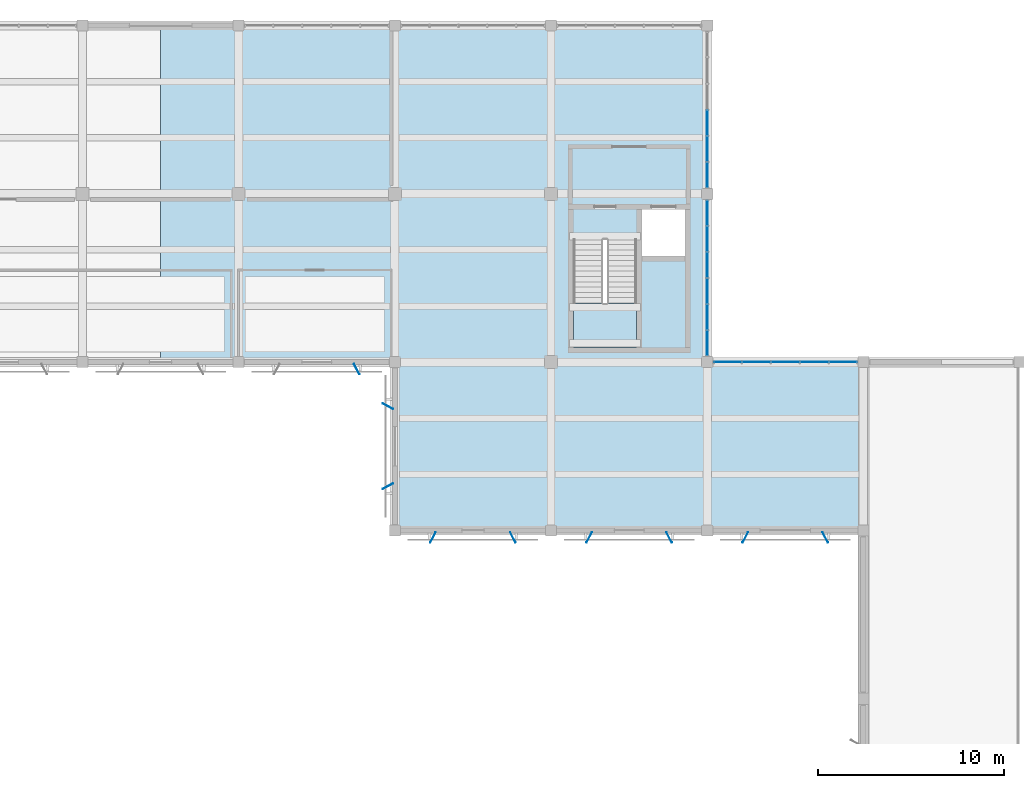
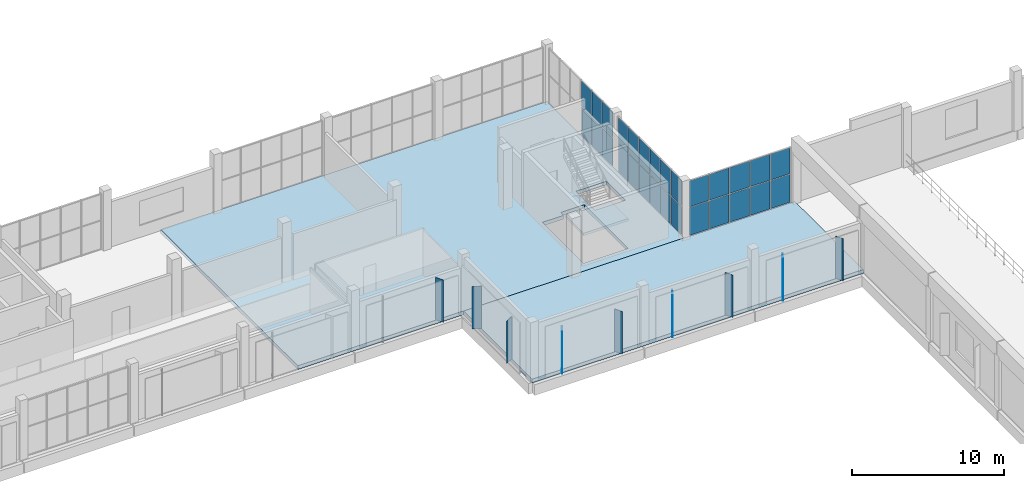
# One storey, part 52 of 80: 37 plates, 3 slabs, 4 elements without a shape of their own.
"""IFC4 building model written with IfcOpenShell, lengths in metres."""

from ifc_helpers import new_model, si_unit, direction, frame, origin, origin_2d, place, context, subcontext, project, spatial, polyline, rectangle, outline, extrude, material, layer, layer_set, type_object, element, aggregate, save


model = new_model("IFC4")

# Units and contexts
model_context = context("Model", 3, precision=1e-05, world=origin(), true_north=direction((0.0, 1.0)))
body_context = subcontext(model_context, "Body", "Model", "MODEL_VIEW")
ifc_project = project(units=[si_unit("LENGTHUNIT", "METRE"), si_unit("AREAUNIT", "SQUARE_METRE"), si_unit("VOLUMEUNIT", "CUBIC_METRE"), si_unit("PLANEANGLEUNIT", "RADIAN"), si_unit("MASSUNIT", "GRAM", prefix="KILO")], contexts=[model_context])

# Site, building, storey
site_placement = place(None, origin())
site = spatial("IfcSite", under=ifc_project, at=site_placement, CompositionType="ELEMENT")
building_placement = place(site_placement, origin())
building = spatial("IfcBuilding", under=site, at=building_placement, Name="Khurvash Pelagic Aquarium", CompositionType="ELEMENT")
storey_placement = place(building_placement, frame((0.0, 0.0, 10.800048828125)))
storey = spatial("IfcBuildingStorey", under=building, at=storey_placement, Name="L02", CompositionType="ELEMENT", Elevation=10.800048828125)

# Curtain wall, plates
ifc_material_1 = material(Name="Anodised aluminium and low-E laminated glass", Category="aluminium")
curtain_wall_type_1 = type_object("IfcCurtainWallType", Name="CW-03", PredefinedType="USERDEFINED", material=ifc_material_1)
curtain_wall_1_placement = place(storey_placement, origin())
curtain_wall_1 = element("IfcCurtainWall", 1, at=curtain_wall_1_placement, inside=storey, type_object=curtain_wall_type_1, Name="L02 Facade Unitised Curtain Wall CW-03 0162", ObjectType="UNITISED CURTAIN WALL", PredefinedType="USERDEFINED")
ifc_material_2 = material(Name="Low-E laminated double glazing", Category="glass")
ifc_layer_1 = layer(ifc_material_2, 0.028076171875)
ifc_layer_set_1 = layer_set([ifc_layer_1], Name="Low-E laminated double glazing")
plate_type_1 = type_object("IfcPlateType", Name="CG-03", PredefinedType="CURTAIN_PANEL", material=ifc_layer_set_1)
plate_1_placement = place(storey_placement, frame((117.60009765625, 85.0732421875, 0.06005859375), z_axis=(0.0, 0.0, 1.0), x_axis=(0.0, 1.0, 0.0)))
plate_1 = element("IfcPlate", 2, at=plate_1_placement, type_object=plate_type_1, Name="CW-03 panel 1.1", PredefinedType="CURTAIN_PANEL", context=body_context, shape_type="SweptSolid", body=[
    extrude(rectangle(XDim=1.316650390625, YDim=0.028076171875, at=origin_2d()), origin(), (0.0, 0.0, 1.0), 2.25),
])
plate_2_placement = place(storey_placement, frame((117.60009765625, 85.0732421875, 2.3701171875), z_axis=(0.0, 0.0, 1.0), x_axis=(0.0, 1.0, 0.0)))
plate_2 = element("IfcPlate", 3, at=plate_2_placement, type_object=plate_type_1, Name="CW-03 panel 1.2", PredefinedType="CURTAIN_PANEL", context=body_context, shape_type="SweptSolid", body=[
    extrude(rectangle(XDim=1.316650390625, YDim=0.028076171875, at=origin_2d()), origin(), (0.0, 0.0, 1.0), 2.070068359375),
])
plate_3_placement = place(storey_placement, frame((117.60009765625, 86.465087890625, 0.06005859375), z_axis=(0.0, 0.0, 1.0), x_axis=(0.0, 1.0, 0.0)))
plate_3 = element("IfcPlate", 4, at=plate_3_placement, type_object=plate_type_1, Name="CW-03 panel 2.1", PredefinedType="CURTAIN_PANEL", context=body_context, shape_type="SweptSolid", body=[
    extrude(rectangle(XDim=1.3466796875, YDim=0.028076171875, at=origin_2d()), origin(), (0.0, 0.0, 1.0), 2.25),
])
plate_4_placement = place(storey_placement, frame((117.60009765625, 86.465087890625, 2.3701171875), z_axis=(0.0, 0.0, 1.0), x_axis=(0.0, 1.0, 0.0)))
plate_4 = element("IfcPlate", 5, at=plate_4_placement, type_object=plate_type_1, Name="CW-03 panel 2.2", PredefinedType="CURTAIN_PANEL", context=body_context, shape_type="SweptSolid", body=[
    extrude(rectangle(XDim=1.3466796875, YDim=0.028076171875, at=origin_2d()), origin(), (0.0, 0.0, 1.0), 2.070068359375),
])
plate_5_placement = place(storey_placement, frame((117.60009765625, 87.87158203125, 0.06005859375), z_axis=(0.0, 0.0, 1.0), x_axis=(0.0, 1.0, 0.0)))
plate_5 = element("IfcPlate", 6, at=plate_5_placement, type_object=plate_type_1, Name="CW-03 panel 3.1", PredefinedType="CURTAIN_PANEL", context=body_context, shape_type="SweptSolid", body=[
    extrude(rectangle(XDim=1.3466796875, YDim=0.028076171875, at=origin_2d()), origin(), (0.0, 0.0, 1.0), 2.25),
])
plate_6_placement = place(storey_placement, frame((117.60009765625, 87.87158203125, 2.3701171875), z_axis=(0.0, 0.0, 1.0), x_axis=(0.0, 1.0, 0.0)))
plate_6 = element("IfcPlate", 7, at=plate_6_placement, type_object=plate_type_1, Name="CW-03 panel 3.2", PredefinedType="CURTAIN_PANEL", context=body_context, shape_type="SweptSolid", body=[
    extrude(rectangle(XDim=1.3466796875, YDim=0.028076171875, at=origin_2d()), origin(), (0.0, 0.0, 1.0), 2.070068359375),
])
plate_7_placement = place(storey_placement, frame((117.60009765625, 89.2783203125, 0.06005859375), z_axis=(0.0, 0.0, 1.0), x_axis=(0.0, 1.0, 0.0)))
plate_7 = element("IfcPlate", 8, at=plate_7_placement, type_object=plate_type_1, Name="CW-03 panel 4.1", PredefinedType="CURTAIN_PANEL", context=body_context, shape_type="SweptSolid", body=[
    extrude(rectangle(XDim=1.3466796875, YDim=0.028076171875, at=origin_2d()), origin(), (0.0, 0.0, 1.0), 2.25),
])
plate_8_placement = place(storey_placement, frame((117.60009765625, 89.2783203125, 2.3701171875), z_axis=(0.0, 0.0, 1.0), x_axis=(0.0, 1.0, 0.0)))
plate_8 = element("IfcPlate", 9, at=plate_8_placement, type_object=plate_type_1, Name="CW-03 panel 4.2", PredefinedType="CURTAIN_PANEL", context=body_context, shape_type="SweptSolid", body=[
    extrude(rectangle(XDim=1.3466796875, YDim=0.028076171875, at=origin_2d()), origin(), (0.0, 0.0, 1.0), 2.070068359375),
])
plate_9_placement = place(storey_placement, frame((117.60009765625, 90.68505859375, 0.06005859375), z_axis=(0.0, 0.0, 1.0), x_axis=(0.0, 1.0, 0.0)))
plate_9 = element("IfcPlate", 10, at=plate_9_placement, type_object=plate_type_1, Name="CW-03 panel 5.1", PredefinedType="CURTAIN_PANEL", context=body_context, shape_type="SweptSolid", body=[
    extrude(rectangle(XDim=1.3466796875, YDim=0.028076171875, at=origin_2d()), origin(), (0.0, 0.0, 1.0), 2.25),
])
plate_10_placement = place(storey_placement, frame((117.60009765625, 90.68505859375, 2.3701171875), z_axis=(0.0, 0.0, 1.0), x_axis=(0.0, 1.0, 0.0)))
plate_10 = element("IfcPlate", 11, at=plate_10_placement, type_object=plate_type_1, Name="CW-03 panel 5.2", PredefinedType="CURTAIN_PANEL", context=body_context, shape_type="SweptSolid", body=[
    extrude(rectangle(XDim=1.3466796875, YDim=0.028076171875, at=origin_2d()), origin(), (0.0, 0.0, 1.0), 2.070068359375),
])
plate_11_placement = place(storey_placement, frame((117.60009765625, 92.07666015625, 0.06005859375), z_axis=(0.0, 0.0, 1.0), x_axis=(0.0, 1.0, 0.0)))
plate_11 = element("IfcPlate", 12, at=plate_11_placement, type_object=plate_type_1, Name="CW-03 panel 6.1", PredefinedType="CURTAIN_PANEL", context=body_context, shape_type="SweptSolid", body=[
    extrude(rectangle(XDim=1.316650390625, YDim=0.028076171875, at=origin_2d()), origin(), (0.0, 0.0, 1.0), 2.25),
])
plate_12_placement = place(storey_placement, frame((117.60009765625, 92.07666015625, 2.3701171875), z_axis=(0.0, 0.0, 1.0), x_axis=(0.0, 1.0, 0.0)))
plate_12 = element("IfcPlate", 13, at=plate_12_placement, type_object=plate_type_1, Name="CW-03 panel 6.2", PredefinedType="CURTAIN_PANEL", context=body_context, shape_type="SweptSolid", body=[
    extrude(rectangle(XDim=1.316650390625, YDim=0.028076171875, at=origin_2d()), origin(), (0.0, 0.0, 1.0), 2.070068359375),
])
aggregate(curtain_wall_1, [plate_1, plate_2, plate_3, plate_4, plate_5, plate_6, plate_7, plate_8, plate_9, plate_10, plate_11, plate_12])

curtain_wall_2_placement = place(storey_placement, origin())
curtain_wall_2 = element("IfcCurtainWall", 14, at=curtain_wall_2_placement, inside=storey, type_object=curtain_wall_type_1, Name="L02 Facade Unitised Curtain Wall CW-03 0163", ObjectType="UNITISED CURTAIN WALL", PredefinedType="USERDEFINED")
plate_13_placement = place(storey_placement, frame((117.60009765625, 94.123291015625, 0.06005859375), z_axis=(0.0, 0.0, 1.0), x_axis=(0.0, 1.0, 0.0)))
plate_13 = element("IfcPlate", 15, at=plate_13_placement, type_object=plate_type_1, Name="CW-03 panel 1.1", PredefinedType="CURTAIN_PANEL", context=body_context, shape_type="SweptSolid", body=[
    extrude(rectangle(XDim=1.316650390625, YDim=0.028076171875, at=origin_2d()), origin(), (0.0, 0.0, 1.0), 2.25),
])
plate_14_placement = place(storey_placement, frame((117.60009765625, 94.123291015625, 2.3701171875), z_axis=(0.0, 0.0, 1.0), x_axis=(0.0, 1.0, 0.0)))
plate_14 = element("IfcPlate", 16, at=plate_14_placement, type_object=plate_type_1, Name="CW-03 panel 1.2", PredefinedType="CURTAIN_PANEL", context=body_context, shape_type="SweptSolid", body=[
    extrude(rectangle(XDim=1.316650390625, YDim=0.028076171875, at=origin_2d()), origin(), (0.0, 0.0, 1.0), 2.070068359375),
])
plate_15_placement = place(storey_placement, frame((117.60009765625, 95.514892578125, 0.06005859375), z_axis=(0.0, 0.0, 1.0), x_axis=(0.0, 1.0, 0.0)))
plate_15 = element("IfcPlate", 17, at=plate_15_placement, type_object=plate_type_1, Name="CW-03 panel 2.1", PredefinedType="CURTAIN_PANEL", context=body_context, shape_type="SweptSolid", body=[
    extrude(rectangle(XDim=1.3466796875, YDim=0.028076171875, at=origin_2d()), origin(), (0.0, 0.0, 1.0), 2.25),
])
plate_16_placement = place(storey_placement, frame((117.60009765625, 95.514892578125, 2.3701171875), z_axis=(0.0, 0.0, 1.0), x_axis=(0.0, 1.0, 0.0)))
plate_16 = element("IfcPlate", 18, at=plate_16_placement, type_object=plate_type_1, Name="CW-03 panel 2.2", PredefinedType="CURTAIN_PANEL", context=body_context, shape_type="SweptSolid", body=[
    extrude(rectangle(XDim=1.3466796875, YDim=0.028076171875, at=origin_2d()), origin(), (0.0, 0.0, 1.0), 2.070068359375),
])
plate_17_placement = place(storey_placement, frame((117.60009765625, 96.921630859375, 0.06005859375), z_axis=(0.0, 0.0, 1.0), x_axis=(0.0, 1.0, 0.0)))
plate_17 = element("IfcPlate", 19, at=plate_17_placement, type_object=plate_type_1, Name="CW-03 panel 3.1", PredefinedType="CURTAIN_PANEL", context=body_context, shape_type="SweptSolid", body=[
    extrude(rectangle(XDim=1.3466796875, YDim=0.028076171875, at=origin_2d()), origin(), (0.0, 0.0, 1.0), 2.25),
])
plate_18_placement = place(storey_placement, frame((117.60009765625, 96.921630859375, 2.3701171875), z_axis=(0.0, 0.0, 1.0), x_axis=(0.0, 1.0, 0.0)))
plate_18 = element("IfcPlate", 20, at=plate_18_placement, type_object=plate_type_1, Name="CW-03 panel 3.2", PredefinedType="CURTAIN_PANEL", context=body_context, shape_type="SweptSolid", body=[
    extrude(rectangle(XDim=1.3466796875, YDim=0.028076171875, at=origin_2d()), origin(), (0.0, 0.0, 1.0), 2.070068359375),
])
aggregate(curtain_wall_2, [plate_13, plate_14, plate_15, plate_16, plate_17, plate_18])

curtain_wall_type_2 = type_object("IfcCurtainWallType", Name="CW-06", PredefinedType="USERDEFINED", material=ifc_material_1)
curtain_wall_3_placement = place(storey_placement, origin())
curtain_wall_3 = element("IfcCurtainWall", 21, at=curtain_wall_3_placement, inside=storey, type_object=curtain_wall_type_2, Name="L02 Facade Unitised Curtain Wall CW-06 0161", ObjectType="UNITISED CURTAIN WALL", PredefinedType="USERDEFINED")
ifc_layer_2 = layer(ifc_material_2, 0.030029296875)
ifc_layer_set_2 = layer_set([ifc_layer_2], Name="Low-E laminated double glazing")
plate_type_2 = type_object("IfcPlateType", Name="CG-06", PredefinedType="CURTAIN_PANEL", material=ifc_layer_set_2)
plate_19_placement = place(storey_placement, frame((124.90087890625, 84.050048828125, 0.06005859375), z_axis=(0.0, 0.0, 1.0), x_axis=(-1.0, 0.0, 0.0)))
plate_19 = element("IfcPlate", 22, at=plate_19_placement, type_object=plate_type_2, Name="CW-06 panel 1.1", PredefinedType="CURTAIN_PANEL", context=body_context, shape_type="SweptSolid", body=[
    extrude(rectangle(XDim=1.468017578125, YDim=0.030029296875, at=origin_2d()), origin(), (0.0, 0.0, 1.0), 2.25),
])
plate_20_placement = place(storey_placement, frame((124.90087890625, 84.050048828125, 2.3701171875), z_axis=(0.0, 0.0, 1.0), x_axis=(-1.0, 0.0, 0.0)))
plate_20 = element("IfcPlate", 23, at=plate_20_placement, type_object=plate_type_2, Name="CW-06 panel 1.2", PredefinedType="CURTAIN_PANEL", context=body_context, shape_type="SweptSolid", body=[
    extrude(rectangle(XDim=1.468017578125, YDim=0.030029296875, at=origin_2d()), origin(), (0.0, 0.0, 1.0), 2.070068359375),
])
plate_21_placement = place(storey_placement, frame((123.35791015625, 84.050048828125, 0.06005859375), z_axis=(0.0, 0.0, 1.0), x_axis=(-1.0, 0.0, 0.0)))
plate_21 = element("IfcPlate", 24, at=plate_21_placement, type_object=plate_type_2, Name="CW-06 panel 2.1", PredefinedType="CURTAIN_PANEL", context=body_context, shape_type="SweptSolid", body=[
    extrude(rectangle(XDim=1.498046875, YDim=0.030029296875, at=origin_2d()), origin(), (0.0, 0.0, 1.0), 2.25),
])
plate_22_placement = place(storey_placement, frame((123.35791015625, 84.050048828125, 2.3701171875), z_axis=(0.0, 0.0, 1.0), x_axis=(-1.0, 0.0, 0.0)))
plate_22 = element("IfcPlate", 25, at=plate_22_placement, type_object=plate_type_2, Name="CW-06 panel 2.2", PredefinedType="CURTAIN_PANEL", context=body_context, shape_type="SweptSolid", body=[
    extrude(rectangle(XDim=1.498046875, YDim=0.030029296875, at=origin_2d()), origin(), (0.0, 0.0, 1.0), 2.070068359375),
])
plate_23_placement = place(storey_placement, frame((121.800048828125, 84.050048828125, 0.06005859375), z_axis=(0.0, 0.0, 1.0), x_axis=(-1.0, 0.0, 0.0)))
plate_23 = element("IfcPlate", 26, at=plate_23_placement, type_object=plate_type_2, Name="CW-06 panel 3.1", PredefinedType="CURTAIN_PANEL", context=body_context, shape_type="SweptSolid", body=[
    extrude(rectangle(XDim=1.498046875, YDim=0.030029296875, at=origin_2d()), origin(), (0.0, 0.0, 1.0), 2.25),
])
plate_24_placement = place(storey_placement, frame((121.800048828125, 84.050048828125, 2.3701171875), z_axis=(0.0, 0.0, 1.0), x_axis=(-1.0, 0.0, 0.0)))
plate_24 = element("IfcPlate", 27, at=plate_24_placement, type_object=plate_type_2, Name="CW-06 panel 3.2", PredefinedType="CURTAIN_PANEL", context=body_context, shape_type="SweptSolid", body=[
    extrude(rectangle(XDim=1.498046875, YDim=0.030029296875, at=origin_2d()), origin(), (0.0, 0.0, 1.0), 2.070068359375),
])
plate_25_placement = place(storey_placement, frame((120.241943359375, 84.050048828125, 0.06005859375), z_axis=(0.0, 0.0, 1.0), x_axis=(-1.0, 0.0, 0.0)))
plate_25 = element("IfcPlate", 28, at=plate_25_placement, type_object=plate_type_2, Name="CW-06 panel 4.1", PredefinedType="CURTAIN_PANEL", context=body_context, shape_type="SweptSolid", body=[
    extrude(rectangle(XDim=1.498046875, YDim=0.030029296875, at=origin_2d()), origin(), (0.0, 0.0, 1.0), 2.25),
])
plate_26_placement = place(storey_placement, frame((120.241943359375, 84.050048828125, 2.3701171875), z_axis=(0.0, 0.0, 1.0), x_axis=(-1.0, 0.0, 0.0)))
plate_26 = element("IfcPlate", 29, at=plate_26_placement, type_object=plate_type_2, Name="CW-06 panel 4.2", PredefinedType="CURTAIN_PANEL", context=body_context, shape_type="SweptSolid", body=[
    extrude(rectangle(XDim=1.498046875, YDim=0.030029296875, at=origin_2d()), origin(), (0.0, 0.0, 1.0), 2.070068359375),
])
plate_27_placement = place(storey_placement, frame((118.698974609375, 84.050048828125, 0.06005859375), z_axis=(0.0, 0.0, 1.0), x_axis=(-1.0, 0.0, 0.0)))
plate_27 = element("IfcPlate", 30, at=plate_27_placement, type_object=plate_type_2, Name="CW-06 panel 5.1", PredefinedType="CURTAIN_PANEL", context=body_context, shape_type="SweptSolid", body=[
    extrude(rectangle(XDim=1.468017578125, YDim=0.030029296875, at=origin_2d()), origin(), (0.0, 0.0, 1.0), 2.25),
])
plate_28_placement = place(storey_placement, frame((118.698974609375, 84.050048828125, 2.3701171875), z_axis=(0.0, 0.0, 1.0), x_axis=(-1.0, 0.0, 0.0)))
plate_28 = element("IfcPlate", 31, at=plate_28_placement, type_object=plate_type_2, Name="CW-06 panel 5.2", PredefinedType="CURTAIN_PANEL", context=body_context, shape_type="SweptSolid", body=[
    extrude(rectangle(XDim=1.468017578125, YDim=0.030029296875, at=origin_2d()), origin(), (0.0, 0.0, 1.0), 2.070068359375),
])
aggregate(curtain_wall_3, [plate_19, plate_20, plate_21, plate_22, plate_23, plate_24, plate_25, plate_26, plate_27, plate_28])

# Slabs
ifc_material_3 = material(Name="Concrete C40/50", Category="concrete")
ifc_layer_3 = layer(ifc_material_3, 0.300048828125)
ifc_layer_set_3 = layer_set([ifc_layer_3], Name="Concrete C40/50")
slab_type_1 = type_object("IfcSlabType", Name="FS-300", PredefinedType="FLOOR", material=ifc_layer_set_3)
slab_1_placement = place(storey_placement, frame((0.0, 0.0, -0.300048828125)))
element("IfcSlab", 32, at=slab_1_placement, inside=storey, type_object=slab_type_1, Name="L02 Structural Floor Slab FS-300 V5_NORTH.2", PredefinedType="FLOOR", context=body_context, shape_type="SweptSolid", body=[
    extrude(outline(polyline([(117.60009765625, 84.050048828125), (117.60009765625, 102.14990234375), (88.199951171875, 102.14990234375), (88.199951171875, 84.050048828125), (117.60009765625, 84.050048828125)]), holes=[polyline([(112.0, 90.64990234375), (113.800048828125, 90.64990234375), (113.800048828125, 84.85009765625), (110.39990234375, 84.85009765625), (110.39990234375, 90.27001953125), (112.0, 90.27001953125), (112.0, 90.64990234375)]), polyline([(116.39990234375, 89.75), (114.10009765625, 89.75), (114.10009765625, 92.25), (116.39990234375, 92.25), (116.39990234375, 89.75)])]), origin(), (0.0, 0.0, 1.0), 0.300048828125),
])
slab_2_placement = place(storey_placement, frame((0.0, 0.0, -0.300048828125)))
element("IfcSlab", 33, at=slab_2_placement, inside=storey, type_object=slab_type_1, Name="L02 Structural Floor Slab FS-300 V1_NLINK.1", PredefinedType="FLOOR", context=body_context, shape_type="SweptSolid", body=[
    extrude(outline(polyline([(126.0, 84.050048828125), (117.60009765625, 84.050048828125), (100.800048828125, 84.050048828125), (100.800048828125, 75.0), (126.0, 75.0), (126.0, 84.050048828125)])), origin(), (0.0, 0.0, 1.0), 0.300048828125),
])

# Stair, slab
ifc_material_4 = material(Name="Concrete C35/45", Category="concrete")
stair_type = type_object("IfcStairType", Name="ST-06", PredefinedType="HALF_TURN_STAIR", material=ifc_material_4)
stair_placement = place(storey_placement, origin())
stair = element("IfcStair", 34, at=stair_placement, inside=storey, type_object=stair_type, Name="L02 Protected Exit Stair ST-06", PredefinedType="HALF_TURN_STAIR")
ifc_layer_4 = layer(ifc_material_4, 0.199951171875)
ifc_layer_set_4 = layer_set([ifc_layer_4], Name="Concrete C35/45")
slab_type_2 = type_object("IfcSlabType", Name="SL-LND-200", PredefinedType="LANDING", material=ifc_layer_set_4)
slab_3_placement = place(storey_placement, frame((0.0, 0.0, 2.199951171875)))
slab_3 = element("IfcSlab", 35, at=slab_3_placement, type_object=slab_type_2, Name="ST-06 landing 1", PredefinedType="LANDING", context=body_context, shape_type="SweptSolid", body=[
    extrude(outline(polyline([(110.39990234375, 87.22998046875), (110.39990234375, 84.85009765625), (113.800048828125, 84.85009765625), (113.800048828125, 87.22998046875), (110.39990234375, 87.22998046875)])), origin(), (0.0, 0.0, 1.0), 0.199951171875),
])
aggregate(stair, [slab_3])

# Plates
ifc_material_5 = material(Name="Anodised aluminium AW-5005", Category="aluminium")
ifc_layer_5 = layer(ifc_material_5, 0.02392578125)
ifc_layer_set_5 = layer_set([ifc_layer_5], Name="Anodised aluminium AW-5005")
plate_type_3 = type_object("IfcPlateType", Name="SP-01", PredefinedType="SHEET", material=ifc_layer_set_5)
for number, where, z_axis, x_axis, name in (
    (36, (98.75, 83.672119140625, 0.14990234375), (0.0, 0.0, 1.0), (0.469471562786, -0.882947592859, 0.0), "L02 Parametric Folded Aluminium Solar Screen Fin SP-01 0040"),
    (37, (100.422119140625, 81.675048828125, 0.14990234375), (0.0, 0.0, 1.0), (-0.882947592859, 0.469471562786, 0.0), "L02 Parametric Folded Aluminium Solar Screen Fin SP-01 0041"),
    (38, (100.422119140625, 77.375, 0.14990234375), (0.0, 0.0, 1.0), (-0.882947592859, -0.469471562786, 0.0), "L02 Parametric Folded Aluminium Solar Screen Fin SP-01 0042"),
    (39, (102.85009765625, 74.6220703125, 0.14990234375), (0.0, 0.0, 1.0), (-0.469471562786, -0.882947592859, 0.0), "L02 Parametric Folded Aluminium Solar Screen Fin SP-01 0043"),
    (40, (107.14990234375, 74.6220703125, 0.14990234375), (0.0, 0.0, 1.0), (0.469471562786, -0.882947592859, 0.0), "L02 Parametric Folded Aluminium Solar Screen Fin SP-01 0044"),
    (41, (111.25, 74.6220703125, 0.14990234375), (0.0, 0.0, 1.0), (-0.469471562786, -0.882947592859, 0.0), "L02 Parametric Folded Aluminium Solar Screen Fin SP-01 0045"),
    (42, (115.550048828125, 74.6220703125, 0.14990234375), (0.0, 0.0, 1.0), (0.469471562786, -0.882947592859, 0.0), "L02 Parametric Folded Aluminium Solar Screen Fin SP-01 0046"),
    (43, (119.64990234375, 74.6220703125, 0.14990234375), (0.0, 0.0, 1.0), (-0.469471562786, -0.882947592859, 0.0), "L02 Parametric Folded Aluminium Solar Screen Fin SP-01 0047"),
    (44, (123.949951171875, 74.6220703125, 0.14990234375), (0.0, 0.0, 1.0), (0.469471562786, -0.882947592859, 0.0), "L02 Parametric Folded Aluminium Solar Screen Fin SP-01 0048"),
):
    element("IfcPlate", number, at=place(storey_placement, frame(where, z_axis=z_axis, x_axis=x_axis)), inside=storey, type_object=plate_type_3, Name=name, PredefinedType="SHEET", context=body_context, shape_type="SweptSolid", body=[
        extrude(rectangle(XDim=0.6201171875, YDim=0.02392578125, at=origin_2d()), origin(), (0.0, 0.0, 1.0), 3.39990234375),
    ])

save(model, "model.ifc")
